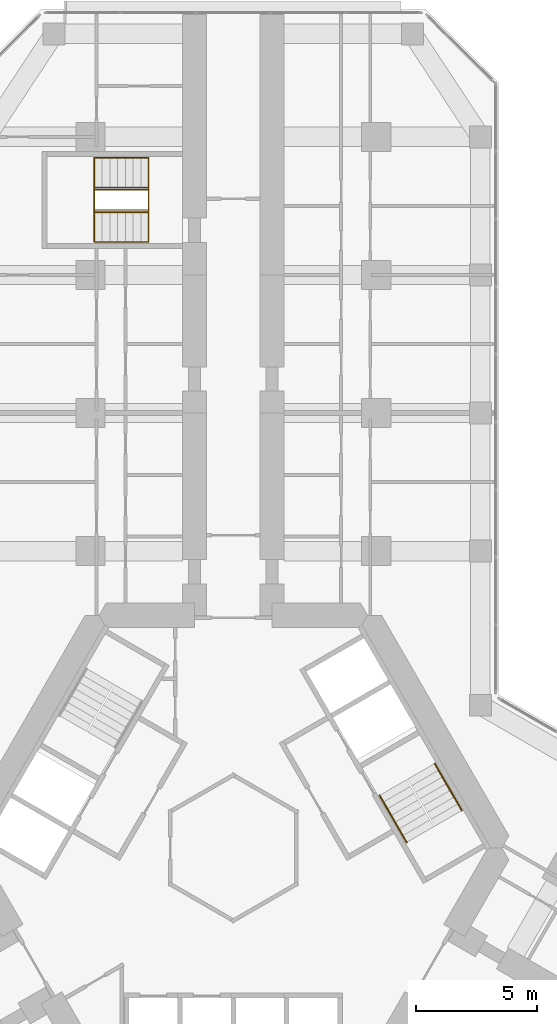
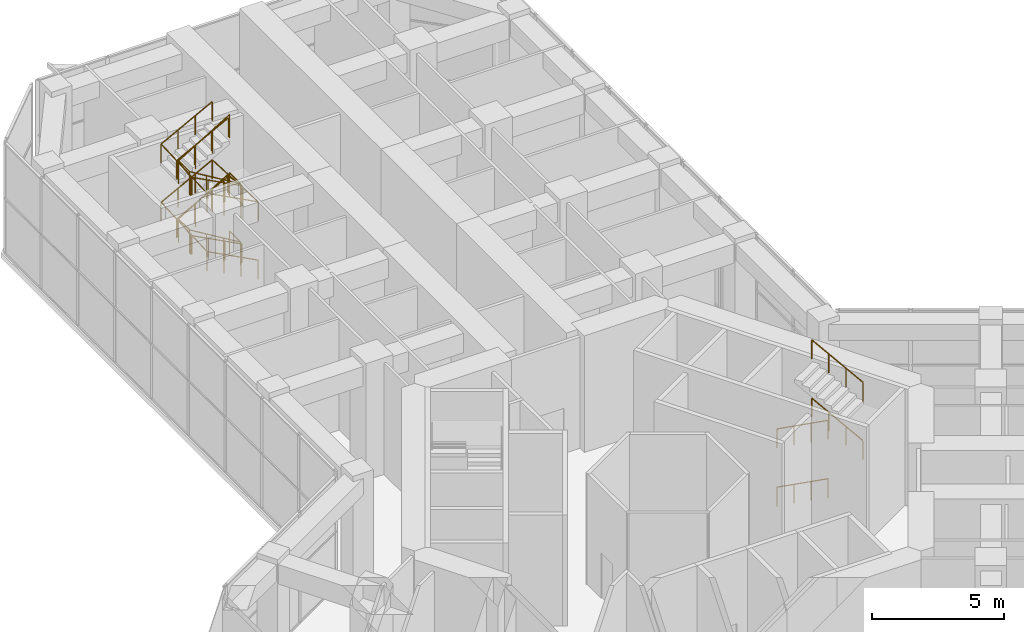
# One storey, part 23 of 23: 7 railings.
"""IFC4 building model written with IfcOpenShell, lengths in metres."""

from ifc_helpers import new_model, si_unit, direction, frame, origin, origin_2d, place, context, subcontext, project, spatial, circle, extrude, material, type_object, element, save


model = new_model("IFC4")

# Units and contexts
model_context = context("Model", 3, precision=1e-05, world=origin(), true_north=direction((0.0, 1.0)))
body_context = subcontext(model_context, "Body", "Model", "MODEL_VIEW")
ifc_project = project(units=[si_unit("LENGTHUNIT", "METRE"), si_unit("AREAUNIT", "SQUARE_METRE"), si_unit("VOLUMEUNIT", "CUBIC_METRE"), si_unit("PLANEANGLEUNIT", "RADIAN"), si_unit("MASSUNIT", "GRAM", prefix="KILO")], contexts=[model_context])

# Site, building, storey
site_placement = place(None, origin())
site = spatial("IfcSite", under=ifc_project, at=site_placement, CompositionType="ELEMENT")
building_placement = place(site_placement, origin())
building = spatial("IfcBuilding", under=site, at=building_placement, Name="Kosmar Iwan School Tower", CompositionType="ELEMENT")
storey_placement = place(building_placement, frame((0.0, 0.0, 75.39990234375)))
storey = spatial("IfcBuildingStorey", under=building, at=storey_placement, Name="L18", CompositionType="ELEMENT", Elevation=75.39990234375)

# Railings
ifc_material_1 = material(Name="Black steel", Category="steel")
railing_type_1 = type_object("IfcRailingType", Name="Stair handrail 900", PredefinedType="HANDRAIL", material=ifc_material_1)
railing_1_placement = place(storey_placement, frame((6.03466796875, 2.167724609375, 0.1689453125)))
element("IfcRailing", 1, at=railing_1_placement, inside=storey, type_object=railing_type_1, Name="Handrail ST1 flight 1", PredefinedType="HANDRAIL", context=body_context, shape_type="SweptSolid", body=[
    extrude(circle(Radius=0.02392578125, at=origin_2d()), frame((0.0, 0.0, 0.8759765625), z_axis=(0.442233264315, -0.766074889524, 0.466432206836), x_axis=(0.866054910533, 0.49994888933, 0.0)), (0.0, 0.0, 1.0), 2.5322265625),
    extrude(circle(Radius=0.02099609375, at=origin_2d()), origin(), (0.0, 0.0, 1.0), 0.851806640625),
    extrude(circle(Radius=0.02099609375, at=origin_2d()), frame((0.373291015625, -0.646728515625, 0.393798828125)), (0.0, 0.0, 1.0), 0.851806640625),
    extrude(circle(Radius=0.02099609375, at=origin_2d()), frame((0.74658203125, -1.293212890625, 0.787353515625)), (0.0, 0.0, 1.0), 0.851806640625),
    extrude(circle(Radius=0.02099609375, at=origin_2d()), frame((1.119873046875, -1.93994140625, 1.18115234375)), (0.0, 0.0, 1.0), 0.851806640625),
])
railing_2_placement = place(storey_placement, frame((9.432373046875, 1.542724609375, 1.518798828125)))
element("IfcRailing", 2, at=railing_2_placement, inside=storey, type_object=railing_type_1, Name="Handrail ST1 flight 2", PredefinedType="HANDRAIL", context=body_context, shape_type="SweptSolid", body=[
    extrude(circle(Radius=0.02392578125, at=origin_2d()), frame((0.0, 0.0, 0.8759765625), z_axis=(-0.442290925331, 0.766007779573, 0.466487747968), x_axis=(-0.866007717299, -0.500030632641, 0.0)), (0.0, 0.0, 1.0), 2.532470703125),
    extrude(circle(Radius=0.02099609375, at=origin_2d()), origin(), (0.0, 0.0, 1.0), 0.851806640625),
    extrude(circle(Radius=0.02099609375, at=origin_2d()), frame((-0.373291015625, 0.646728515625, 0.393798828125)), (0.0, 0.0, 1.0), 0.851806640625),
    extrude(circle(Radius=0.02099609375, at=origin_2d()), frame((-0.746826171875, 1.293212890625, 0.78759765625)), (0.0, 0.0, 1.0), 0.851806640625),
    extrude(circle(Radius=0.02099609375, at=origin_2d()), frame((-1.1201171875, 1.93994140625, 1.181396484375)), (0.0, 0.0, 1.0), 0.851806640625),
])
railing_3_placement = place(storey_placement, frame((6.03466796875, 2.167724609375, 2.868896484375)))
element("IfcRailing", 3, at=railing_3_placement, inside=storey, type_object=railing_type_1, Name="Handrail ST1 flight 3", PredefinedType="HANDRAIL", context=body_context, shape_type="SweptSolid", body=[
    extrude(circle(Radius=0.02392578125, at=origin_2d()), frame((0.0, 0.0, 0.8759765625), z_axis=(0.442233264315, -0.766074889524, 0.466432206836), x_axis=(0.866054910533, 0.49994888933, 0.0)), (0.0, 0.0, 1.0), 2.5322265625),
    extrude(circle(Radius=0.02099609375, at=origin_2d()), origin(), (0.0, 0.0, 1.0), 0.851806640625),
    extrude(circle(Radius=0.02099609375, at=origin_2d()), frame((0.373291015625, -0.646728515625, 0.393798828125)), (0.0, 0.0, 1.0), 0.851806640625),
    extrude(circle(Radius=0.02099609375, at=origin_2d()), frame((0.74658203125, -1.293212890625, 0.787353515625)), (0.0, 0.0, 1.0), 0.851806640625),
    extrude(circle(Radius=0.02099609375, at=origin_2d()), frame((1.119873046875, -1.93994140625, 1.18115234375)), (0.0, 0.0, 1.0), 0.851806640625),
])
railing_4_placement = place(storey_placement, frame((9.432373046875, 1.542724609375, 4.21875)))
element("IfcRailing", 4, at=railing_4_placement, inside=storey, type_object=railing_type_1, Name="Handrail ST1 flight 4", PredefinedType="HANDRAIL", context=body_context, shape_type="SweptSolid", body=[
    extrude(circle(Radius=0.02392578125, at=origin_2d()), frame((0.0, 0.0, 0.8759765625), z_axis=(-0.442290925331, 0.766007779573, 0.466487747968), x_axis=(-0.866007717299, -0.500030632641, 0.0)), (0.0, 0.0, 1.0), 2.532470703125),
    extrude(circle(Radius=0.02099609375, at=origin_2d()), origin(), (0.0, 0.0, 1.0), 0.851806640625),
    extrude(circle(Radius=0.02099609375, at=origin_2d()), frame((-0.373291015625, 0.646728515625, 0.393798828125)), (0.0, 0.0, 1.0), 0.851806640625),
    extrude(circle(Radius=0.02099609375, at=origin_2d()), frame((-0.746826171875, 1.293212890625, 0.78759765625)), (0.0, 0.0, 1.0), 0.851806640625),
    extrude(circle(Radius=0.02099609375, at=origin_2d()), frame((-1.1201171875, 1.93994140625, 1.181396484375)), (0.0, 0.0, 1.0), 0.851806640625),
])
railing_5_placement = place(storey_placement, frame((-3.5, 25.010009765625, 0.1689453125)))
element("IfcRailing", 5, at=railing_5_placement, inside=storey, type_object=railing_type_1, Name="Handrail stair WS1 L18 wall side", PredefinedType="HANDRAIL", context=body_context, shape_type="SweptSolid", body=[
    extrude(circle(Radius=0.02392578125, at=origin_2d()), frame((0.0, 0.0, 0.8759765625), z_axis=(-0.884558252294, 0.0, 0.466429735651), x_axis=(0.0, -1.0, 0.0)), (0.0, 0.0, 1.0), 2.5322265625),
    extrude(circle(Radius=0.02392578125, at=origin_2d()), frame((-2.239990234375, 0.0, 2.05712890625), z_axis=(0.0, 0.998827027194, 0.048420757387), x_axis=(-1.0, 0.0, 0.0)), (0.0, 0.0, 1.0), 3.484130859375),
    extrude(circle(Radius=0.02392578125, at=origin_2d()), frame((-2.239990234375, 3.47998046875, 2.2255859375), z_axis=(0.884518473774, 0.0, 0.466505165623), x_axis=(0.0, 1.0, 0.0)), (0.0, 0.0, 1.0), 2.532470703125),
    extrude(circle(Radius=0.02392578125, at=origin_2d()), frame((0.0, 3.47998046875, 3.4072265625), z_axis=(0.0, -0.998827027194, 0.048420757387), x_axis=(1.0, 0.0, 0.0)), (0.0, 0.0, 1.0), 3.484130859375),
    extrude(circle(Radius=0.02392578125, at=origin_2d()), frame((0.0, 0.0, 3.57568359375), z_axis=(-0.884558252294, 0.0, 0.466429735651), x_axis=(0.0, -1.0, 0.0)), (0.0, 0.0, 1.0), 2.5322265625),
    extrude(circle(Radius=0.02392578125, at=origin_2d()), frame((-2.239990234375, 0.0, 4.7568359375), z_axis=(0.0, 0.998827027194, 0.048420757387), x_axis=(-1.0, 0.0, 0.0)), (0.0, 0.0, 1.0), 3.484130859375),
    extrude(circle(Radius=0.02392578125, at=origin_2d()), frame((-2.239990234375, 3.47998046875, 4.92578125), z_axis=(0.884518473774, 0.0, 0.466505165623), x_axis=(0.0, 1.0, 0.0)), (0.0, 0.0, 1.0), 2.532470703125),
    extrude(circle(Radius=0.02099609375, at=origin_2d()), origin(), (0.0, 0.0, 1.0), 0.851806640625),
    extrude(circle(Radius=0.02099609375, at=origin_2d()), frame((-0.74658203125, 0.0, 0.393798828125)), (0.0, 0.0, 1.0), 0.851806640625),
    extrude(circle(Radius=0.02099609375, at=origin_2d()), frame((-1.493408203125, 0.0, 0.787353515625)), (0.0, 0.0, 1.0), 0.851806640625),
    extrude(circle(Radius=0.02099609375, at=origin_2d()), frame((-2.239990234375, 0.0, 1.18115234375)), (0.0, 0.0, 1.0), 0.851806640625),
    extrude(circle(Radius=0.02099609375, at=origin_2d()), frame((-2.239990234375, 1.159912109375, 1.2373046875)), (0.0, 0.0, 1.0), 0.851806640625),
    extrude(circle(Radius=0.02099609375, at=origin_2d()), frame((-2.239990234375, 2.320068359375, 1.293701171875)), (0.0, 0.0, 1.0), 0.851806640625),
    extrude(circle(Radius=0.02099609375, at=origin_2d()), frame((-2.239990234375, 3.47998046875, 1.349853515625)), (0.0, 0.0, 1.0), 0.851806640625),
    extrude(circle(Radius=0.02099609375, at=origin_2d()), frame((-1.493408203125, 3.47998046875, 1.74365234375)), (0.0, 0.0, 1.0), 0.851806640625),
    extrude(circle(Radius=0.02099609375, at=origin_2d()), frame((-0.74658203125, 3.47998046875, 2.137451171875)), (0.0, 0.0, 1.0), 0.851806640625),
    extrude(circle(Radius=0.02099609375, at=origin_2d()), frame((0.0, 3.47998046875, 2.53125)), (0.0, 0.0, 1.0), 0.851806640625),
    extrude(circle(Radius=0.02099609375, at=origin_2d()), frame((0.0, 2.320068359375, 2.58740234375)), (0.0, 0.0, 1.0), 0.851806640625),
    extrude(circle(Radius=0.02099609375, at=origin_2d()), frame((0.0, 1.159912109375, 2.643798828125)), (0.0, 0.0, 1.0), 0.851806640625),
    extrude(circle(Radius=0.02099609375, at=origin_2d()), frame((0.0, 0.0, 2.699951171875)), (0.0, 0.0, 1.0), 0.851806640625),
    extrude(circle(Radius=0.02099609375, at=origin_2d()), frame((-0.74658203125, 0.0, 3.09375)), (0.0, 0.0, 1.0), 0.851806640625),
    extrude(circle(Radius=0.02099609375, at=origin_2d()), frame((-1.493408203125, 0.0, 3.4873046875)), (0.0, 0.0, 1.0), 0.851806640625),
    extrude(circle(Radius=0.02099609375, at=origin_2d()), frame((-2.239990234375, 0.0, 3.881103515625)), (0.0, 0.0, 1.0), 0.851806640625),
    extrude(circle(Radius=0.02099609375, at=origin_2d()), frame((-2.239990234375, 1.159912109375, 3.937255859375)), (0.0, 0.0, 1.0), 0.851806640625),
    extrude(circle(Radius=0.02099609375, at=origin_2d()), frame((-2.239990234375, 2.320068359375, 3.99365234375)), (0.0, 0.0, 1.0), 0.851806640625),
    extrude(circle(Radius=0.02099609375, at=origin_2d()), frame((-2.239990234375, 3.47998046875, 4.0498046875)), (0.0, 0.0, 1.0), 0.851806640625),
    extrude(circle(Radius=0.02099609375, at=origin_2d()), frame((-1.493408203125, 3.47998046875, 4.443603515625)), (0.0, 0.0, 1.0), 0.851806640625),
    extrude(circle(Radius=0.02099609375, at=origin_2d()), frame((-0.74658203125, 3.47998046875, 4.83740234375)), (0.0, 0.0, 1.0), 0.851806640625),
    extrude(circle(Radius=0.02099609375, at=origin_2d()), frame((0.0, 3.47998046875, 5.231201171875)), (0.0, 0.0, 1.0), 0.851806640625),
])
railing_6_placement = place(storey_placement, frame((-3.5, 26.239990234375, 0.1689453125)))
element("IfcRailing", 6, at=railing_6_placement, inside=storey, type_object=railing_type_1, Name="Handrail stair WS1 L18 well side", PredefinedType="HANDRAIL", context=body_context, shape_type="SweptSolid", body=[
    extrude(circle(Radius=0.02392578125, at=origin_2d()), frame((0.0, 0.0, 0.8759765625), z_axis=(-0.884558252294, 0.0, 0.466429735651), x_axis=(0.0, -1.0, 0.0)), (0.0, 0.0, 1.0), 2.5322265625),
    extrude(circle(Radius=0.02392578125, at=origin_2d()), frame((-2.239990234375, 0.0, 2.05712890625), z_axis=(0.0, 0.986597392812, 0.163173479759), x_axis=(-1.0, 0.0, 0.0)), (0.0, 0.0, 1.0), 1.033935546875),
    extrude(circle(Radius=0.02392578125, at=origin_2d()), frame((-2.239990234375, 1.02001953125, 2.2255859375), z_axis=(0.884518473774, 0.0, 0.466505165623), x_axis=(0.0, 1.0, 0.0)), (0.0, 0.0, 1.0), 2.532470703125),
    extrude(circle(Radius=0.02392578125, at=origin_2d()), frame((0.0, 1.02001953125, 3.4072265625), z_axis=(0.0, -0.986597392812, 0.163173479759), x_axis=(1.0, 0.0, 0.0)), (0.0, 0.0, 1.0), 1.033935546875),
    extrude(circle(Radius=0.02392578125, at=origin_2d()), frame((0.0, 0.0, 3.57568359375), z_axis=(-0.884558252294, 0.0, 0.466429735651), x_axis=(0.0, -1.0, 0.0)), (0.0, 0.0, 1.0), 2.5322265625),
    extrude(circle(Radius=0.02392578125, at=origin_2d()), frame((-2.239990234375, 0.0, 4.7568359375), z_axis=(0.0, 0.986597392812, 0.163173479759), x_axis=(-1.0, 0.0, 0.0)), (0.0, 0.0, 1.0), 1.033935546875),
    extrude(circle(Radius=0.02392578125, at=origin_2d()), frame((-2.239990234375, 1.02001953125, 4.92578125), z_axis=(0.884518473774, 0.0, 0.466505165623), x_axis=(0.0, 1.0, 0.0)), (0.0, 0.0, 1.0), 2.532470703125),
    extrude(circle(Radius=0.02099609375, at=origin_2d()), origin(), (0.0, 0.0, 1.0), 0.851806640625),
    extrude(circle(Radius=0.02099609375, at=origin_2d()), frame((-0.74658203125, 0.0, 0.393798828125)), (0.0, 0.0, 1.0), 0.851806640625),
    extrude(circle(Radius=0.02099609375, at=origin_2d()), frame((-1.493408203125, 0.0, 0.787353515625)), (0.0, 0.0, 1.0), 0.851806640625),
    extrude(circle(Radius=0.02099609375, at=origin_2d()), frame((-2.239990234375, 0.0, 1.18115234375)), (0.0, 0.0, 1.0), 0.851806640625),
    extrude(circle(Radius=0.02099609375, at=origin_2d()), frame((-2.239990234375, 1.02001953125, 1.349853515625)), (0.0, 0.0, 1.0), 0.851806640625),
    extrude(circle(Radius=0.02099609375, at=origin_2d()), frame((-1.493408203125, 1.02001953125, 1.74365234375)), (0.0, 0.0, 1.0), 0.851806640625),
    extrude(circle(Radius=0.02099609375, at=origin_2d()), frame((-0.74658203125, 1.02001953125, 2.137451171875)), (0.0, 0.0, 1.0), 0.851806640625),
    extrude(circle(Radius=0.02099609375, at=origin_2d()), frame((0.0, 1.02001953125, 2.53125)), (0.0, 0.0, 1.0), 0.851806640625),
    extrude(circle(Radius=0.02099609375, at=origin_2d()), frame((0.0, 0.0, 2.699951171875)), (0.0, 0.0, 1.0), 0.851806640625),
    extrude(circle(Radius=0.02099609375, at=origin_2d()), frame((-0.74658203125, 0.0, 3.09375)), (0.0, 0.0, 1.0), 0.851806640625),
    extrude(circle(Radius=0.02099609375, at=origin_2d()), frame((-1.493408203125, 0.0, 3.4873046875)), (0.0, 0.0, 1.0), 0.851806640625),
    extrude(circle(Radius=0.02099609375, at=origin_2d()), frame((-2.239990234375, 0.0, 3.881103515625)), (0.0, 0.0, 1.0), 0.851806640625),
    extrude(circle(Radius=0.02099609375, at=origin_2d()), frame((-2.239990234375, 1.02001953125, 4.0498046875)), (0.0, 0.0, 1.0), 0.851806640625),
    extrude(circle(Radius=0.02099609375, at=origin_2d()), frame((-1.493408203125, 1.02001953125, 4.443603515625)), (0.0, 0.0, 1.0), 0.851806640625),
    extrude(circle(Radius=0.02099609375, at=origin_2d()), frame((-0.74658203125, 1.02001953125, 4.83740234375)), (0.0, 0.0, 1.0), 0.851806640625),
    extrude(circle(Radius=0.02099609375, at=origin_2d()), frame((0.0, 1.02001953125, 5.231201171875)), (0.0, 0.0, 1.0), 0.851806640625),
])
ifc_material_2 = material(Name="Black steel", Category="steel")
railing_type_2 = type_object("IfcRailingType", Name="Stair well guard 1100", PredefinedType="GUARDRAIL", material=ifc_material_2)
railing_7_placement = place(storey_placement, frame((-3.5, 27.169921875, 0.0)))
element("IfcRailing", 7, at=railing_7_placement, inside=storey, type_object=railing_type_2, Name="Stair WS1 L18 well guard", PredefinedType="GUARDRAIL", context=body_context, shape_type="SweptSolid", body=[
    extrude(circle(Radius=0.02392578125, at=origin_2d()), frame((0.0, 0.0, 1.076171875), z_axis=(0.0, -1.0, 0.0), x_axis=(1.0, 0.0, 0.0)), (0.0, 0.0, 1.0), 0.83984375),
    extrude(circle(Radius=0.02392578125, at=origin_2d()), frame((0.0, -0.83984375, 1.076171875), z_axis=(-0.856461642802, 0.0, 0.516210668632), x_axis=(0.0, -1.0, 0.0)), (0.0, 0.0, 1.0), 2.615478515625),
    extrude(circle(Radius=0.02392578125, at=origin_2d()), frame((-2.239990234375, -0.83984375, 2.42626953125), z_axis=(0.0, 1.0, 0.0), x_axis=(-1.0, 0.0, 0.0)), (0.0, 0.0, 1.0), 0.83984375),
    extrude(circle(Radius=0.02392578125, at=origin_2d()), frame((-2.239990234375, 0.0, 2.42626953125), z_axis=(0.856461642802, 0.0, 0.516210668632), x_axis=(0.0, 1.0, 0.0)), (0.0, 0.0, 1.0), 2.615478515625),
    extrude(circle(Radius=0.02392578125, at=origin_2d()), frame((0.0, 0.0, 3.7763671875), z_axis=(0.0, -1.0, 0.0), x_axis=(1.0, 0.0, 0.0)), (0.0, 0.0, 1.0), 0.83984375),
    extrude(circle(Radius=0.02392578125, at=origin_2d()), frame((0.0, -0.83984375, 3.7763671875), z_axis=(-0.856502912269, 0.0, 0.516142190947), x_axis=(0.0, -1.0, 0.0)), (0.0, 0.0, 1.0), 2.615234375),
    extrude(circle(Radius=0.02392578125, at=origin_2d()), frame((-2.239990234375, -0.83984375, 5.1259765625), z_axis=(0.0, 1.0, 0.0), x_axis=(-1.0, 0.0, 0.0)), (0.0, 0.0, 1.0), 0.83984375),
    extrude(circle(Radius=0.02392578125, at=origin_2d()), frame((-2.239990234375, 0.0, 5.1259765625), z_axis=(0.856461642802, 0.0, 0.516210668632), x_axis=(0.0, 1.0, 0.0)), (0.0, 0.0, 1.0), 2.615478515625),
    extrude(circle(Radius=0.02099609375, at=origin_2d()), origin(), (0.0, 0.0, 1.0), 1.052001953125),
    extrude(circle(Radius=0.02099609375, at=origin_2d()), frame((0.0, -0.83984375, 0.0)), (0.0, 0.0, 1.0), 1.052001953125),
    extrude(circle(Radius=0.02099609375, at=origin_2d()), frame((-0.74658203125, -0.83984375, 0.449951171875)), (0.0, 0.0, 1.0), 1.052001953125),
    extrude(circle(Radius=0.02099609375, at=origin_2d()), frame((-1.493408203125, -0.83984375, 0.900146484375)), (0.0, 0.0, 1.0), 1.052001953125),
    extrude(circle(Radius=0.02099609375, at=origin_2d()), frame((-2.239990234375, -0.83984375, 1.35009765625)), (0.0, 0.0, 1.0), 1.052001953125),
    extrude(circle(Radius=0.02099609375, at=origin_2d()), frame((-2.239990234375, 0.0, 1.35009765625)), (0.0, 0.0, 1.0), 1.052001953125),
    extrude(circle(Radius=0.02099609375, at=origin_2d()), frame((-1.493408203125, 0.0, 1.800048828125)), (0.0, 0.0, 1.0), 1.052001953125),
    extrude(circle(Radius=0.02099609375, at=origin_2d()), frame((-0.74658203125, 0.0, 2.250244140625)), (0.0, 0.0, 1.0), 1.052001953125),
    extrude(circle(Radius=0.02099609375, at=origin_2d()), frame((0.0, 0.0, 2.7001953125)), (0.0, 0.0, 1.0), 1.052001953125),
    extrude(circle(Radius=0.02099609375, at=origin_2d()), frame((0.0, -0.83984375, 2.7001953125)), (0.0, 0.0, 1.0), 1.052001953125),
    extrude(circle(Radius=0.02099609375, at=origin_2d()), frame((-0.74658203125, -0.83984375, 3.150146484375)), (0.0, 0.0, 1.0), 1.052001953125),
    extrude(circle(Radius=0.02099609375, at=origin_2d()), frame((-1.493408203125, -0.83984375, 3.60009765625)), (0.0, 0.0, 1.0), 1.052001953125),
    extrude(circle(Radius=0.02099609375, at=origin_2d()), frame((-2.239990234375, -0.83984375, 4.050048828125)), (0.0, 0.0, 1.0), 1.052001953125),
    extrude(circle(Radius=0.02099609375, at=origin_2d()), frame((-2.239990234375, 0.0, 4.050048828125)), (0.0, 0.0, 1.0), 1.052001953125),
    extrude(circle(Radius=0.02099609375, at=origin_2d()), frame((-1.493408203125, 0.0, 4.5)), (0.0, 0.0, 1.0), 1.052001953125),
    extrude(circle(Radius=0.02099609375, at=origin_2d()), frame((-0.74658203125, 0.0, 4.9501953125)), (0.0, 0.0, 1.0), 1.052001953125),
    extrude(circle(Radius=0.02099609375, at=origin_2d()), frame((0.0, 0.0, 5.400146484375)), (0.0, 0.0, 1.0), 1.052001953125),
])

save(model, "model.ifc")
